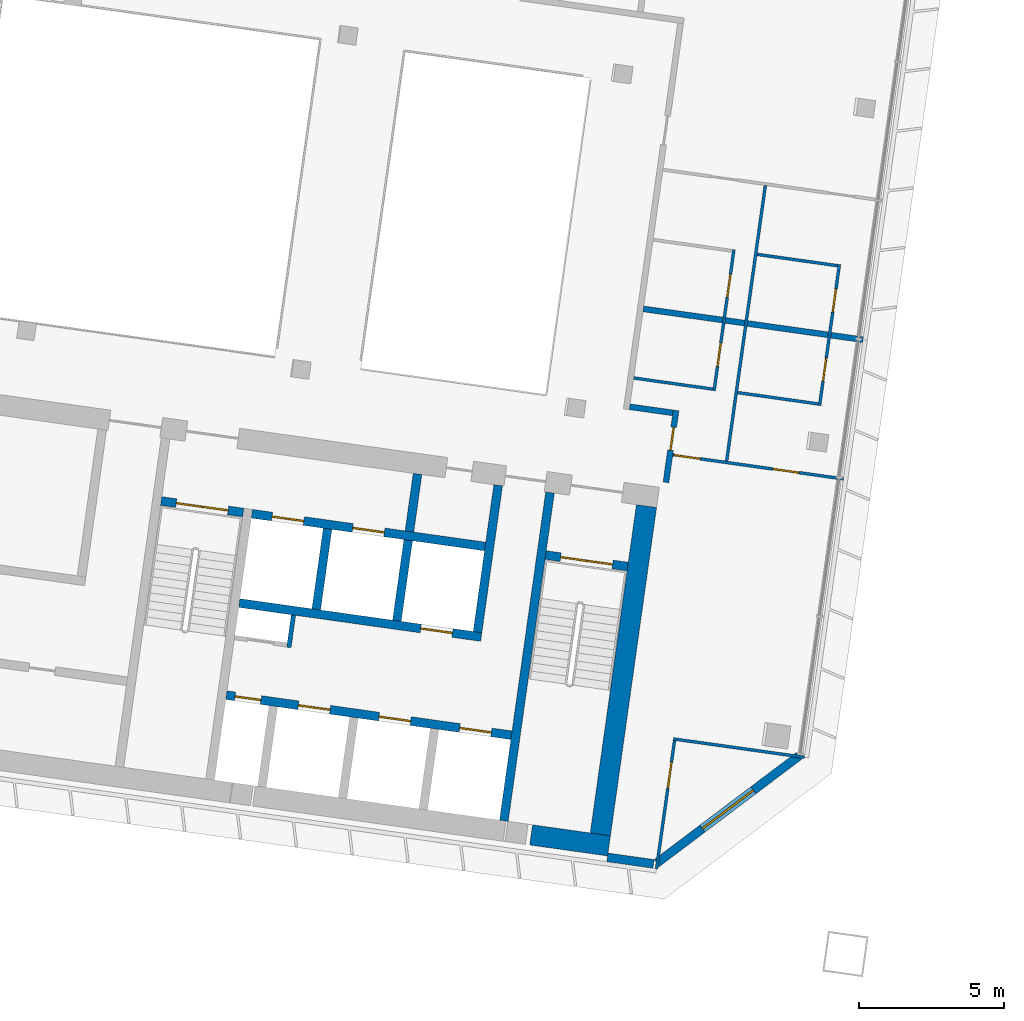
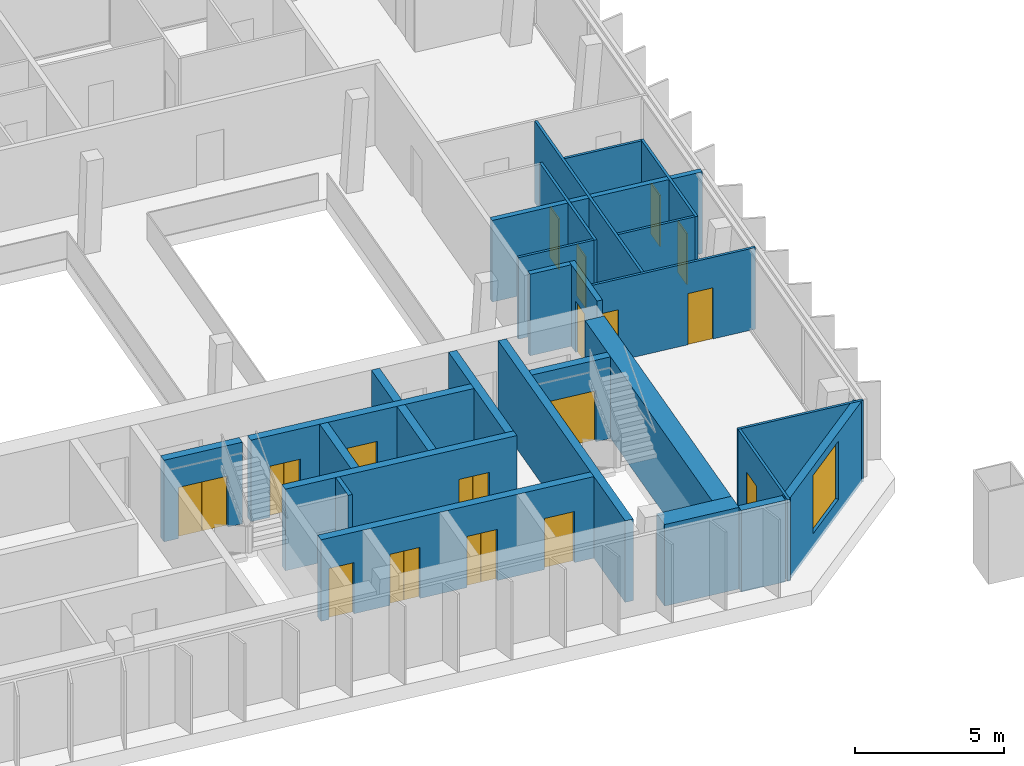
# One storey, part 14 of 23: 27 walls, 17 doors, 1 window, 18 openings.
"""IFC4 building model written with IfcOpenShell, lengths in metres."""

from ifc_helpers import new_model, si_unit, direction, frame, frame_2d, origin, place, context, subcontext, project, spatial, rectangle, extrude, material, layer, layer_set, type_object, element, fill, save


model = new_model("IFC4")

# Units and contexts
model_context = context("Model", 3, precision=1e-05, world=origin(), true_north=direction((0.0, 1.0)))
body_context = subcontext(model_context, "Body", "Model", "MODEL_VIEW")
ifc_project = project(units=[si_unit("LENGTHUNIT", "METRE"), si_unit("AREAUNIT", "SQUARE_METRE"), si_unit("VOLUMEUNIT", "CUBIC_METRE"), si_unit("PLANEANGLEUNIT", "RADIAN"), si_unit("MASSUNIT", "GRAM", prefix="KILO")], contexts=[model_context])

# Site, building, storey
site_placement = place(None, origin())
site = spatial("IfcSite", under=ifc_project, at=site_placement, CompositionType="ELEMENT")
building_placement = place(site_placement, origin())
building = spatial("IfcBuilding", under=site, at=building_placement, Name="Mirante Cascada Hotel Towers", CompositionType="ELEMENT")
storey_placement = place(building_placement, frame((0.0, 0.0, 187.8)))
storey = spatial("IfcBuildingStorey", under=building, at=storey_placement, Name="L44", CompositionType="ELEMENT", Elevation=187.8)

# Walls
ifc_material_1 = material(Name="Fire-rated plasterboard on metal studs")
ifc_layer_1 = layer(ifc_material_1, 0.2)
ifc_layer_set_1 = layer_set([ifc_layer_1], Name="Compartment wall 200 EI 120")
wall_type_1 = type_object("IfcWallType", Name="Compartment wall 200 EI 120", PredefinedType="PARTITIONING", material=ifc_layer_set_1)
wall_1_placement = place(storey_placement, frame((-35.0284, -4.7267, 0.0), z_axis=(0.0, 0.0, 1.0), x_axis=(-0.9902735, 0.1391343, 0.0)))
element("IfcWall", 1, at=wall_1_placement, inside=storey, type_object=wall_type_1, Name="Wall 1-L44-03", PredefinedType="PARTITIONING", context=body_context, shape_type="SweptSolid", body=[
    extrude(rectangle(XDim=1.5, YDim=0.2, at=frame_2d((0.75, 0.0))), origin(), (0.0, 0.0, 1.0), 3.35),
])
wall_2_placement = place(storey_placement, frame((-28.4875, -2.2126, 0.0), z_axis=(0.0, 0.0, 1.0), x_axis=(-0.9902666, 0.1391835, 0.0)))
element("IfcWall", 2, at=wall_2_placement, inside=storey, type_object=wall_type_1, Name="Wall 1-L44-07", PredefinedType="PARTITIONING", context=body_context, shape_type="SweptSolid", body=[
    extrude(rectangle(XDim=7.6273, YDim=0.2, at=frame_2d((3.8136, 0.0))), origin(), (0.0, 0.0, 1.0), 3.35),
])

# Wall, opening, door
wall_3_placement = place(storey_placement, frame((-35.2634, -7.1173, 0.0), z_axis=(0.0, 0.0, 1.0), x_axis=(0.1391586, 0.9902701, 0.0)))
wall_3 = element("IfcWall", 3, at=wall_3_placement, inside=storey, type_object=wall_type_1, Name="Wall 1-L44-33", PredefinedType="PARTITIONING", context=body_context, shape_type="SweptSolid", body=[
    extrude(rectangle(XDim=2.5, YDim=0.2, at=frame_2d((1.25, 0.0))), origin(), (0.0, 0.0, 1.0), 3.35),
])
opening_1_placement = place(wall_3_placement, frame((1.1167, 0.0, 0.0)))
opening_1 = element("IfcOpeningElement", 4, at=opening_1_placement, cuts=wall_3, Name="Opening D1-L44-26", PredefinedType="OPENING", context=body_context, shape_type="SweptSolid", body=[
    extrude(rectangle(XDim=0.8, YDim=2.1, at=frame_2d((0.4, 1.05))), frame((0.0, 0.1, 0.0), z_axis=(0.0, -1.0, 0.0), x_axis=(1.0, 0.0, 0.0)), (0.0, 0.0, 1.0), 0.2),
])
ifc_material_2 = material(Name="Fire-rated timber door leaf", Category="wood")
door_type_1 = type_object("IfcDoorType", Name="Bathroom door DG4 800x2100 EI 60", OperationType="SINGLE_SWING_LEFT", PredefinedType="DOOR", material=ifc_material_2)
door_1_placement = place(opening_1_placement, origin())
door_1 = element("IfcDoor", 5, at=door_1_placement, inside=storey, type_object=door_type_1, Name="Door D1-L44-26", OperationType="SINGLE_SWING_LEFT", OverallHeight=2.1, OverallWidth=0.8, PredefinedType="DOOR", context=body_context, shape_type="SweptSolid", body=[
    extrude(rectangle(XDim=0.8, YDim=2.1, at=frame_2d((0.4, 1.05))), frame((0.0, 0.025, 0.0), z_axis=(0.0, -1.0, 0.0), x_axis=(1.0, 0.0, 0.0)), (0.0, 0.0, 1.0), 0.05),
])
fill(opening_1, door_1)

# Walls
ifc_material_3 = material(Name="Masonry block", Category="masonry")
ifc_layer_2 = layer(ifc_material_3, 0.15)
ifc_layer_set_2 = layer_set([ifc_layer_2], Name="Core room partition 150 block EI 30")
wall_type_2 = type_object("IfcWallType", Name="Core room partition 150 block EI 30", PredefinedType="PARTITIONING", material=ifc_layer_set_2)
wall_4_placement = place(storey_placement, frame((-48.2295, -12.793, 0.0), z_axis=(0.0, 0.0, 1.0), x_axis=(0.1391935, 0.9902652, 0.0)))
element("IfcWall", 6, at=wall_4_placement, inside=storey, type_object=wall_type_2, Name="Core wall partition T1 L44 2", PredefinedType="PARTITIONING", context=body_context, shape_type="SweptSolid", body=[
    extrude(rectangle(XDim=1.1251, YDim=0.15, at=frame_2d((0.5626, 0.0))), origin(), (0.0, 0.0, 1.0), 3.35),
])
ifc_material_4 = material(Name="Masonry block", Category="masonry")
ifc_layer_3 = layer(ifc_material_4, 0.3)
ifc_layer_set_3 = layer_set([ifc_layer_3], Name="Core wall 300 block EI 120")
wall_type_3 = type_object("IfcWallType", Name="Core wall 300 block EI 120", PredefinedType="PARTITIONING", material=ifc_layer_set_3)
wall_5_placement = place(storey_placement, frame((-44.0843, -8.8061, 0.0), z_axis=(0.0, 0.0, 1.0), x_axis=(0.1391951, 0.990265, 0.0)))
element("IfcWall", 7, at=wall_5_placement, inside=storey, type_object=wall_type_3, Name="Core wall partition T1 L44 1", PredefinedType="PARTITIONING", context=body_context, shape_type="SweptSolid", body=[
    extrude(rectangle(XDim=2.0001, YDim=0.3, at=frame_2d((1.0001, 0.0))), origin(), (0.0, 0.0, 1.0), 3.35),
])
ifc_material_5 = material(Name="Plasterboard on metal studs")
ifc_layer_4 = layer(ifc_material_5, 0.1)
ifc_layer_set_4 = layer_set([ifc_layer_4], Name="Partition 100")
wall_type_4 = type_object("IfcWallType", Name="Partition 100", PredefinedType="PARTITIONING", material=ifc_layer_set_4)
wall_6_placement = place(storey_placement, frame((-30.5055, -16.5715, 0.0), z_axis=(0.0, 0.0, 1.0), x_axis=(-0.9902661, 0.1391871, 0.0)))
element("IfcWall", 8, at=wall_6_placement, inside=storey, type_object=wall_type_4, Name="Wall 1-L44-01", PredefinedType="PARTITIONING", context=body_context, shape_type="SweptSolid", body=[
    extrude(rectangle(XDim=4.55, YDim=0.1, at=frame_2d((2.275, 0.0))), origin(), (0.0, 0.0, 1.0), 3.35),
])

# Wall, openings, doors
wall_7_placement = place(storey_placement, frame((-35.0298, -6.1739, 0.0), z_axis=(0.0, 0.0, 1.0), x_axis=(0.9902688, -0.1391677, 0.0)))
wall_7 = element("IfcWall", 9, at=wall_7_placement, inside=storey, type_object=wall_type_4, Name="Wall 1-L44-02", PredefinedType="PARTITIONING", context=body_context, shape_type="SweptSolid", body=[
    extrude(rectangle(XDim=5.9274, YDim=0.1, at=frame_2d((2.9637, 0.0))), origin(), (0.0, 0.0, 1.0), 3.35),
])
opening_2_placement = place(wall_7_placement, frame((3.4774, 0.0, 0.0)))
opening_2 = element("IfcOpeningElement", 10, at=opening_2_placement, cuts=wall_7, Name="Opening D1-L44-01", PredefinedType="OPENING", context=body_context, shape_type="SweptSolid", body=[
    extrude(rectangle(XDim=0.9, YDim=2.1, at=frame_2d((0.45, 1.05))), frame((0.0, 0.05, 0.0), z_axis=(0.0, -1.0, 0.0), x_axis=(1.0, 0.0, 0.0)), (0.0, 0.0, 1.0), 0.1),
])
opening_3_placement = place(wall_7_placement, frame((0.05, 0.0, 0.0)))
opening_3 = element("IfcOpeningElement", 11, at=opening_3_placement, cuts=wall_7, Name="Opening D1-L44-02", PredefinedType="OPENING", context=body_context, shape_type="SweptSolid", body=[
    extrude(rectangle(XDim=0.9, YDim=2.1, at=frame_2d((0.45, 1.05))), frame((0.0, 0.05, 0.0), z_axis=(0.0, -1.0, 0.0), x_axis=(1.0, 0.0, 0.0)), (0.0, 0.0, 1.0), 0.1),
])
ifc_material_6 = material(Name="Timber door leaf", Category="wood")
door_type_2 = type_object("IfcDoorType", Name="Room door DG3 900x2100", OperationType="SINGLE_SWING_LEFT", PredefinedType="DOOR", material=ifc_material_6)
door_2_placement = place(opening_2_placement, frame((0.9, 0.0, 0.0), z_axis=(0.0, 0.0, 1.0), x_axis=(-1.0, 0.0, 0.0)))
door_2 = element("IfcDoor", 12, at=door_2_placement, inside=storey, type_object=door_type_2, Name="Door D1-L44-01", OperationType="SINGLE_SWING_RIGHT", OverallHeight=2.1, OverallWidth=0.9, PredefinedType="DOOR", context=body_context, shape_type="SweptSolid", body=[
    extrude(rectangle(XDim=0.9, YDim=2.1, at=frame_2d((0.45, 1.05))), frame((0.0, 0.025, 0.0), z_axis=(0.0, -1.0, 0.0), x_axis=(1.0, 0.0, 0.0)), (0.0, 0.0, 1.0), 0.05),
])
fill(opening_2, door_2)
door_3_placement = place(opening_3_placement, frame((0.9, 0.0, 0.0), z_axis=(0.0, 0.0, 1.0), x_axis=(-1.0, 0.0, 0.0)))
door_3 = element("IfcDoor", 13, at=door_3_placement, inside=storey, type_object=door_type_2, Name="Door D1-L44-02", OperationType="SINGLE_SWING_RIGHT", OverallHeight=2.1, OverallWidth=0.9, PredefinedType="DOOR", context=body_context, shape_type="SweptSolid", body=[
    extrude(rectangle(XDim=0.9, YDim=2.1, at=frame_2d((0.45, 1.05))), frame((0.0, 0.025, 0.0), z_axis=(0.0, -1.0, 0.0), x_axis=(1.0, 0.0, 0.0)), (0.0, 0.0, 1.0), 0.05),
])
fill(opening_3, door_3)

# Walls
wall_8_placement = place(storey_placement, frame((-30.0234, -4.4203, 0.0), z_axis=(0.0, 0.0, 1.0), x_axis=(-0.990267, 0.139181, 0.0)))
element("IfcWall", 14, at=wall_8_placement, inside=storey, type_object=wall_type_4, Name="Wall 1-L44-05", PredefinedType="PARTITIONING", context=body_context, shape_type="SweptSolid", body=[
    extrude(rectangle(XDim=2.8, YDim=0.1, at=frame_2d((1.4, 0.0))), origin(), (0.0, 0.0, 1.0), 3.35),
])
wall_9_placement = place(storey_placement, frame((-36.3747, -3.5277, 0.0), z_axis=(0.0, 0.0, 1.0), x_axis=(0.9902698, -0.1391607, 0.0)))
element("IfcWall", 15, at=wall_9_placement, inside=storey, type_object=wall_type_4, Name="Wall 1-L44-06", PredefinedType="PARTITIONING", context=body_context, shape_type="SweptSolid", body=[
    extrude(rectangle(XDim=2.7501, YDim=0.1, at=frame_2d((1.3751, 0.0))), origin(), (0.0, 0.0, 1.0), 3.35),
])
wall_10_placement = place(storey_placement, frame((-29.3553, 0.333, 0.0), z_axis=(0.0, 0.0, 1.0), x_axis=(-0.9902677, 0.139176, 0.0)))
element("IfcWall", 16, at=wall_10_placement, inside=storey, type_object=wall_type_4, Name="Wall 1-L44-09", PredefinedType="PARTITIONING", context=body_context, shape_type="SweptSolid", body=[
    extrude(rectangle(XDim=2.8001, YDim=0.1, at=frame_2d((1.4, 0.0))), origin(), (0.0, 0.0, 1.0), 3.35),
])

# Wall, openings, doors
wall_11_placement = place(storey_placement, frame((-29.2989, 0.3755, 0.0), z_axis=(0.0, 0.0, 1.0), x_axis=(-0.1391638, -0.9902694, 0.0)))
wall_11 = element("IfcWall", 17, at=wall_11_placement, inside=storey, type_object=wall_type_4, Name="Wall 1-L44-28", PredefinedType="PARTITIONING", context=body_context, shape_type="SweptSolid", body=[
    extrude(rectangle(XDim=4.9, YDim=0.1, at=frame_2d((2.45, 0.0))), origin(), (0.0, 0.0, 1.0), 3.35),
])
opening_4_placement = place(wall_11_placement, frame((3.25, 0.0, 0.0)))
opening_4 = element("IfcOpeningElement", 18, at=opening_4_placement, cuts=wall_11, Name="Opening D1-L44-20", PredefinedType="OPENING", context=body_context, shape_type="SweptSolid", body=[
    extrude(rectangle(XDim=0.8, YDim=2.1, at=frame_2d((0.4, 1.05))), frame((0.0, 0.05, 0.0), z_axis=(0.0, -1.0, 0.0), x_axis=(1.0, 0.0, 0.0)), (0.0, 0.0, 1.0), 0.1),
])
opening_5_placement = place(wall_11_placement, frame((0.85, 0.0, 0.0)))
opening_5 = element("IfcOpeningElement", 19, at=opening_5_placement, cuts=wall_11, Name="Opening D1-L44-21", PredefinedType="OPENING", context=body_context, shape_type="SweptSolid", body=[
    extrude(rectangle(XDim=0.8, YDim=2.1, at=frame_2d((0.4, 1.05))), frame((0.0, 0.05, 0.0), z_axis=(0.0, -1.0, 0.0), x_axis=(1.0, 0.0, 0.0)), (0.0, 0.0, 1.0), 0.1),
])
ifc_material_7 = material(Name="Timber door leaf", Category="wood")
door_type_3 = type_object("IfcDoorType", Name="Bathroom door DG4 800x2100", OperationType="SINGLE_SWING_LEFT", PredefinedType="DOOR", material=ifc_material_7)
door_4_placement = place(opening_4_placement, frame((0.8, 0.0, 0.0), z_axis=(0.0, 0.0, 1.0), x_axis=(-1.0, 0.0, 0.0)))
door_4 = element("IfcDoor", 20, at=door_4_placement, inside=storey, type_object=door_type_3, Name="Door D1-L44-20", OperationType="SINGLE_SWING_RIGHT", OverallHeight=2.1, OverallWidth=0.8, PredefinedType="DOOR", context=body_context, shape_type="SweptSolid", body=[
    extrude(rectangle(XDim=0.8, YDim=2.1, at=frame_2d((0.4, 1.05))), frame((0.0, 0.025, 0.0), z_axis=(0.0, -1.0, 0.0), x_axis=(1.0, 0.0, 0.0)), (0.0, 0.0, 1.0), 0.05),
])
fill(opening_4, door_4)
door_5_placement = place(opening_5_placement, frame((0.8, 0.0, 0.0), z_axis=(0.0, 0.0, 1.0), x_axis=(-1.0, 0.0, 0.0)))
door_5 = element("IfcDoor", 21, at=door_5_placement, inside=storey, type_object=door_type_3, Name="Door D1-L44-21", OperationType="SINGLE_SWING_RIGHT", OverallHeight=2.1, OverallWidth=0.8, PredefinedType="DOOR", context=body_context, shape_type="SweptSolid", body=[
    extrude(rectangle(XDim=0.8, YDim=2.1, at=frame_2d((0.4, 1.05))), frame((0.0, 0.025, 0.0), z_axis=(0.0, -1.0, 0.0), x_axis=(1.0, 0.0, 0.0)), (0.0, 0.0, 1.0), 0.05),
])
fill(opening_5, door_5)

# Wall
wall_12_placement = place(storey_placement, frame((-33.1773, -6.3838, 0.0), z_axis=(0.0, 0.0, 1.0), x_axis=(0.1391717, 0.9902683, 0.0)))
element("IfcWall", 22, at=wall_12_placement, inside=storey, type_object=wall_type_4, Name="Wall 1-L44-29", PredefinedType="PARTITIONING", context=body_context, shape_type="SweptSolid", body=[
    extrude(rectangle(XDim=9.5666, YDim=0.1, at=frame_2d((4.7833, 0.0))), origin(), (0.0, 0.0, 1.0), 3.35),
])

# Wall, opening, door
wall_13_placement = place(storey_placement, frame((-34.9686, -15.9947, 0.0), z_axis=(0.0, 0.0, 1.0), x_axis=(-0.1391904, -0.9902656, 0.0)))
wall_13 = element("IfcWall", 23, at=wall_13_placement, inside=storey, type_object=wall_type_4, Name="Wall 1-L44-30", PredefinedType="PARTITIONING", context=body_context, shape_type="SweptSolid", body=[
    extrude(rectangle(XDim=4.45, YDim=0.1, at=frame_2d((2.225, 0.0))), origin(), (0.0, 0.0, 1.0), 3.35),
])
opening_6_placement = place(wall_13_placement, frame((0.75, 0.0, 0.0)))
opening_6 = element("IfcOpeningElement", 24, at=opening_6_placement, cuts=wall_13, Name="Opening D1-L44-22", PredefinedType="OPENING", context=body_context, shape_type="SweptSolid", body=[
    extrude(rectangle(XDim=0.9, YDim=2.1, at=frame_2d((0.45, 1.05))), frame((0.0, 0.05, 0.0), z_axis=(0.0, -1.0, 0.0), x_axis=(1.0, 0.0, 0.0)), (0.0, 0.0, 1.0), 0.1),
])
door_6_placement = place(opening_6_placement, origin())
door_6 = element("IfcDoor", 25, at=door_6_placement, inside=storey, type_object=door_type_2, Name="Door D1-L44-22", OperationType="SINGLE_SWING_LEFT", OverallHeight=2.1, OverallWidth=0.9, PredefinedType="DOOR", context=body_context, shape_type="SweptSolid", body=[
    extrude(rectangle(XDim=0.9, YDim=2.1, at=frame_2d((0.45, 1.05))), frame((0.0, 0.025, 0.0), z_axis=(0.0, -1.0, 0.0), x_axis=(1.0, 0.0, 0.0)), (0.0, 0.0, 1.0), 0.05),
])
fill(opening_6, door_6)

# Wall, openings, doors
wall_14_placement = place(storey_placement, frame((-32.9269, 0.8854, 0.0), z_axis=(0.0, 0.0, 1.0), x_axis=(-0.1391838, -0.9902666, 0.0)))
wall_14 = element("IfcWall", 26, at=wall_14_placement, inside=storey, type_object=wall_type_4, Name="Wall 1-L44-32", PredefinedType="PARTITIONING", context=body_context, shape_type="SweptSolid", body=[
    extrude(rectangle(XDim=4.9, YDim=0.1, at=frame_2d((2.45, 0.0))), origin(), (0.0, 0.0, 1.0), 3.35),
])
opening_7_placement = place(wall_14_placement, frame((3.25, 0.0, 0.0)))
opening_7 = element("IfcOpeningElement", 27, at=opening_7_placement, cuts=wall_14, Name="Opening D1-L44-24", PredefinedType="OPENING", context=body_context, shape_type="SweptSolid", body=[
    extrude(rectangle(XDim=0.8, YDim=2.1, at=frame_2d((0.4, 1.05))), frame((0.0, 0.05, 0.0), z_axis=(0.0, -1.0, 0.0), x_axis=(1.0, 0.0, 0.0)), (0.0, 0.0, 1.0), 0.1),
])
opening_8_placement = place(wall_14_placement, frame((0.85, 0.0, 0.0)))
opening_8 = element("IfcOpeningElement", 28, at=opening_8_placement, cuts=wall_14, Name="Opening D1-L44-25", PredefinedType="OPENING", context=body_context, shape_type="SweptSolid", body=[
    extrude(rectangle(XDim=0.8, YDim=2.1, at=frame_2d((0.4, 1.05))), frame((0.0, 0.05, 0.0), z_axis=(0.0, -1.0, 0.0), x_axis=(1.0, 0.0, 0.0)), (0.0, 0.0, 1.0), 0.1),
])
door_7_placement = place(opening_7_placement, frame((0.8, 0.0, 0.0), z_axis=(0.0, 0.0, 1.0), x_axis=(-1.0, 0.0, 0.0)))
door_7 = element("IfcDoor", 29, at=door_7_placement, inside=storey, type_object=door_type_3, Name="Door D1-L44-24", OperationType="SINGLE_SWING_RIGHT", OverallHeight=2.1, OverallWidth=0.8, PredefinedType="DOOR", context=body_context, shape_type="SweptSolid", body=[
    extrude(rectangle(XDim=0.8, YDim=2.1, at=frame_2d((0.4, 1.05))), frame((0.0, 0.025, 0.0), z_axis=(0.0, -1.0, 0.0), x_axis=(1.0, 0.0, 0.0)), (0.0, 0.0, 1.0), 0.05),
])
fill(opening_7, door_7)
door_8_placement = place(opening_8_placement, frame((0.8, 0.0, 0.0), z_axis=(0.0, 0.0, 1.0), x_axis=(-1.0, 0.0, 0.0)))
door_8 = element("IfcDoor", 30, at=door_8_placement, inside=storey, type_object=door_type_3, Name="Door D1-L44-25", OperationType="SINGLE_SWING_RIGHT", OverallHeight=2.1, OverallWidth=0.8, PredefinedType="DOOR", context=body_context, shape_type="SweptSolid", body=[
    extrude(rectangle(XDim=0.8, YDim=2.1, at=frame_2d((0.4, 1.05))), frame((0.0, 0.025, 0.0), z_axis=(0.0, -1.0, 0.0), x_axis=(1.0, 0.0, 0.0)), (0.0, 0.0, 1.0), 0.05),
])
fill(opening_8, door_8)

# Wall
ifc_material_8 = material(Name="Precast concrete C40/50", Category="concrete")
ifc_layer_5 = layer(ifc_material_8, 0.3)
ifc_layer_set_5 = layer_set([ifc_layer_5], Name="Precast concrete C40/50 cladding wall 300")
wall_type_5 = type_object("IfcWallType", Name="Precast concrete C40/50 cladding wall 300", PredefinedType="STANDARD", material=ifc_layer_set_5)
wall_15_placement = place(storey_placement, frame((-35.6901, -20.2356, 0.0), z_axis=(0.0, 0.0, 1.0), x_axis=(-0.9902614, 0.1392204, 0.0)))
element("IfcWall", 31, at=wall_15_placement, inside=storey, type_object=wall_type_5, Name="Rear cladding wall T1 L44 1", PredefinedType="STANDARD", context=body_context, shape_type="SweptSolid", body=[
    extrude(rectangle(XDim=1.6032, YDim=0.3, at=frame_2d((0.8016, 0.0))), origin(), (0.0, 0.0, 1.0), 3.35),
])

# Wall, opening, window
wall_16_placement = place(storey_placement, frame((-30.6949, -16.5264, 0.0), z_axis=(0.0, 0.0, 1.0), x_axis=(-0.7986362, -0.6018141, 0.0)))
wall_16 = element("IfcWall", 32, at=wall_16_placement, inside=storey, type_object=wall_type_5, Name="Corner cladding wall T1 L44 inner rear", PredefinedType="STANDARD", context=body_context, shape_type="SweptSolid", body=[
    extrude(rectangle(XDim=6.1157, YDim=0.3, at=frame_2d((3.0578, 0.0))), origin(), (0.0, 0.0, 1.0), 3.35),
])
opening_9_placement = place(wall_16_placement, frame((1.9578, 0.0, 0.6)))
opening_9 = element("IfcOpeningElement", 33, at=opening_9_placement, cuts=wall_16, Name="Opening W1-44-04", PredefinedType="OPENING", context=body_context, shape_type="SweptSolid", body=[
    extrude(rectangle(XDim=2.2, YDim=2.4, at=frame_2d((1.1, 1.2))), frame((0.0, 0.15, 0.0), z_axis=(0.0, -1.0, 0.0), x_axis=(1.0, 0.0, 0.0)), (0.0, 0.0, 1.0), 0.3),
])
ifc_material_9 = material(Name="Aluminium frame with clear double glazing", Category="aluminium")
window_type = type_object("IfcWindowType", Name="Corner suite window 2200x2400", PartitioningType="DOUBLE_PANEL_VERTICAL", PredefinedType="WINDOW", material=ifc_material_9)
window_placement = place(opening_9_placement, origin())
window = element("IfcWindow", 34, at=window_placement, inside=storey, type_object=window_type, Name="Window W1-44-04", OverallHeight=2.4, OverallWidth=2.2, PartitioningType="SINGLE_PANEL", PredefinedType="WINDOW", context=body_context, shape_type="SweptSolid", body=[
    extrude(rectangle(XDim=2.2, YDim=2.4, at=frame_2d((1.1, 1.2))), frame((0.0, 0.03, 0.0), z_axis=(0.0, -1.0, 0.0), x_axis=(1.0, 0.0, 0.0)), (0.0, 0.0, 1.0), 0.06),
])
fill(opening_9, window)

# Wall
ifc_material_10 = material(Name="Concrete C50/60", Category="concrete")
ifc_layer_6 = layer(ifc_material_10, 0.3)
ifc_layer_set_6 = layer_set([ifc_layer_6], Name="RC core wall 300 C50/60")
wall_type_6 = type_object("IfcWallType", Name="RC core wall 300 C50/60", PredefinedType="SHEAR", material=ifc_layer_set_6)
wall_17_placement = place(storey_placement, frame((-40.8373, -18.7548, 0.0), z_axis=(0.0, 0.0, 1.0), x_axis=(0.1391749, 0.9902678, 0.0)))
element("IfcWall", 35, at=wall_17_placement, inside=storey, type_object=wall_type_6, Name="Core wall T1:L44:5", PredefinedType="SHEAR", context=body_context, shape_type="SweptSolid", body=[
    extrude(rectangle(XDim=11.4, YDim=0.3, at=frame_2d((5.7, 0.0))), origin(), (0.0, 0.0, 1.0), 3.35),
])

# Wall, opening, door
wall_18_placement = place(storey_placement, frame((-36.5791, -10.0123, 0.0), z_axis=(0.0, 0.0, 1.0), x_axis=(-0.9902704, 0.1391564, 0.0)))
wall_18 = element("IfcWall", 36, at=wall_18_placement, inside=storey, type_object=wall_type_6, Name="Core wall T1:L44:8", PredefinedType="SHEAR", context=body_context, shape_type="SweptSolid", body=[
    extrude(rectangle(XDim=2.85, YDim=0.3, at=frame_2d((1.425, 0.0))), origin(), (0.0, 0.0, 1.0), 3.35),
])
opening_10_placement = place(wall_18_placement, frame((0.525, 0.0, 0.0)))
opening_10 = element("IfcOpeningElement", 37, at=opening_10_placement, cuts=wall_18, Name="Opening D1-44-C07", PredefinedType="OPENING", context=body_context, shape_type="SweptSolid", body=[
    extrude(rectangle(XDim=1.8, YDim=2.1, at=frame_2d((0.9, 1.05))), frame((0.0, 0.15, 0.0), z_axis=(0.0, -1.0, 0.0), x_axis=(1.0, 0.0, 0.0)), (0.0, 0.0, 1.0), 0.3),
])
ifc_material_11 = material(Name="Hollow metal fire door leaf")
door_type_4 = type_object("IfcDoorType", Name="Double fire door 1800x2100 FD60", OperationType="DOUBLE_DOOR_SINGLE_SWING", PredefinedType="DOOR", material=ifc_material_11)
door_9_placement = place(opening_10_placement, origin())
door_9 = element("IfcDoor", 38, at=door_9_placement, inside=storey, type_object=door_type_4, Name="Stair door T1 L44 7", OperationType="DOUBLE_DOOR_SINGLE_SWING", OverallHeight=2.1, OverallWidth=1.8, PredefinedType="DOOR", context=body_context, shape_type="SweptSolid", body=[
    extrude(rectangle(XDim=0.895, YDim=2.1, at=frame_2d((0.4475, 1.05))), frame((0.0, 0.025, 0.0), z_axis=(0.0, -1.0, 0.0), x_axis=(1.0, 0.0, 0.0)), (0.0, 0.0, 1.0), 0.05),
    extrude(rectangle(XDim=0.895, YDim=2.1, at=frame_2d((1.3525, 1.05))), frame((0.0, 0.025, 0.0), z_axis=(0.0, -1.0, 0.0), x_axis=(1.0, 0.0, 0.0)), (0.0, 0.0, 1.0), 0.05),
])
fill(opening_10, door_9)

wall_19_placement = place(storey_placement, frame((-49.7992, -8.1544, 0.0), z_axis=(0.0, 0.0, 1.0), x_axis=(-0.9902656, 0.1391909, 0.0)))
wall_19 = element("IfcWall", 39, at=wall_19_placement, inside=storey, type_object=wall_type_6, Name="Core wall T1:L44:9", PredefinedType="SHEAR", context=body_context, shape_type="SweptSolid", body=[
    extrude(rectangle(XDim=2.85, YDim=0.3, at=frame_2d((1.425, 0.0))), origin(), (0.0, 0.0, 1.0), 3.35),
])
opening_11_placement = place(wall_19_placement, frame((0.525, 0.0, 0.0)))
opening_11 = element("IfcOpeningElement", 40, at=opening_11_placement, cuts=wall_19, Name="Opening D1-44-C09", PredefinedType="OPENING", context=body_context, shape_type="SweptSolid", body=[
    extrude(rectangle(XDim=1.8, YDim=2.1, at=frame_2d((0.9, 1.05))), frame((0.0, 0.15, 0.0), z_axis=(0.0, -1.0, 0.0), x_axis=(1.0, 0.0, 0.0)), (0.0, 0.0, 1.0), 0.3),
])
door_10_placement = place(opening_11_placement, origin())
door_10 = element("IfcDoor", 41, at=door_10_placement, inside=storey, type_object=door_type_4, Name="Stair door T1 L44 9", OperationType="DOUBLE_DOOR_SINGLE_SWING", OverallHeight=2.1, OverallWidth=1.8, PredefinedType="DOOR", context=body_context, shape_type="SweptSolid", body=[
    extrude(rectangle(XDim=0.895, YDim=2.1, at=frame_2d((0.4475, 1.05))), frame((0.0, 0.025, 0.0), z_axis=(0.0, -1.0, 0.0), x_axis=(1.0, 0.0, 0.0)), (0.0, 0.0, 1.0), 0.05),
    extrude(rectangle(XDim=0.895, YDim=2.1, at=frame_2d((1.3525, 1.05))), frame((0.0, 0.025, 0.0), z_axis=(0.0, -1.0, 0.0), x_axis=(1.0, 0.0, 0.0)), (0.0, 0.0, 1.0), 0.05),
])
fill(opening_11, door_10)

# Wall, openings, doors
wall_20_placement = place(storey_placement, frame((-40.5753, -15.8126, 0.0), z_axis=(0.0, 0.0, 1.0), x_axis=(-0.9902682, 0.1391725, 0.0)))
wall_20 = element("IfcWall", 42, at=wall_20_placement, inside=storey, type_object=wall_type_6, Name="Core wall T1:L44:10", PredefinedType="SHEAR", context=body_context, shape_type="SweptSolid", body=[
    extrude(rectangle(XDim=9.8999, YDim=0.3, at=frame_2d((4.95, 0.0))), origin(), (0.0, 0.0, 1.0), 3.35),
])
opening_12_placement = place(wall_20_placement, frame((0.7, 0.0, 0.0)))
opening_12 = element("IfcOpeningElement", 43, at=opening_12_placement, cuts=wall_20, Name="Opening LD", PredefinedType="OPENING", context=body_context, shape_type="SweptSolid", body=[
    extrude(rectangle(XDim=1.1, YDim=2.1, at=frame_2d((0.55, 1.05))), frame((0.0, 0.15, 0.0), z_axis=(0.0, -1.0, 0.0), x_axis=(1.0, 0.0, 0.0)), (0.0, 0.0, 1.0), 0.3),
])
opening_13_placement = place(wall_20_placement, frame((3.5, 0.0, 0.0)))
opening_13 = element("IfcOpeningElement", 44, at=opening_13_placement, cuts=wall_20, Name="Opening LD", PredefinedType="OPENING", context=body_context, shape_type="SweptSolid", body=[
    extrude(rectangle(XDim=1.1, YDim=2.1, at=frame_2d((0.55, 1.05))), frame((0.0, 0.15, 0.0), z_axis=(0.0, -1.0, 0.0), x_axis=(1.0, 0.0, 0.0)), (0.0, 0.0, 1.0), 0.3),
])
opening_14_placement = place(wall_20_placement, frame((6.3, 0.0, 0.0)))
opening_14 = element("IfcOpeningElement", 45, at=opening_14_placement, cuts=wall_20, Name="Opening LD", PredefinedType="OPENING", context=body_context, shape_type="SweptSolid", body=[
    extrude(rectangle(XDim=1.1, YDim=2.1, at=frame_2d((0.55, 1.05))), frame((0.0, 0.15, 0.0), z_axis=(0.0, -1.0, 0.0), x_axis=(1.0, 0.0, 0.0)), (0.0, 0.0, 1.0), 0.3),
])
opening_15_placement = place(wall_20_placement, frame((8.7, 0.0, 0.0)))
opening_15 = element("IfcOpeningElement", 46, at=opening_15_placement, cuts=wall_20, Name="Opening D1-44-C14", PredefinedType="OPENING", context=body_context, shape_type="SweptSolid", body=[
    extrude(rectangle(XDim=0.9, YDim=2.1, at=frame_2d((0.45, 1.05))), frame((0.0, 0.15, 0.0), z_axis=(0.0, -1.0, 0.0), x_axis=(1.0, 0.0, 0.0)), (0.0, 0.0, 1.0), 0.3),
])
ifc_material_12 = material(Name="Hollow metal fire door leaf")
door_type_5 = type_object("IfcDoorType", Name="Fire door 900x2100 FD60", OperationType="NOTDEFINED", PredefinedType="DOOR", material=ifc_material_12)
door_11_placement = place(opening_15_placement, origin())
door_11 = element("IfcDoor", 47, at=door_11_placement, inside=storey, type_object=door_type_5, Name="Riser door T1 L44 14", OperationType="SINGLE_SWING_LEFT", OverallHeight=2.1, OverallWidth=0.9, PredefinedType="DOOR", context=body_context, shape_type="SweptSolid", body=[
    extrude(rectangle(XDim=0.9, YDim=2.1, at=frame_2d((0.45, 1.05))), frame((0.0, 0.025, 0.0), z_axis=(0.0, -1.0, 0.0), x_axis=(1.0, 0.0, 0.0)), (0.0, 0.0, 1.0), 0.05),
])
fill(opening_15, door_11)
ifc_material_13 = material(Name="Stainless steel", Category="steel")
door_type_6 = type_object("IfcDoorType", Name="Lift landing door 1100x2100 EI 120", OperationType="DOUBLE_DOOR_SLIDING", PredefinedType="DOOR", material=ifc_material_13)
door_12_placement = place(opening_12_placement, origin())
door_12 = element("IfcDoor", 48, at=door_12_placement, inside=storey, type_object=door_type_6, Name="Lift landing door HR1-1 L44", OperationType="DOUBLE_DOOR_SLIDING", OverallHeight=2.1, OverallWidth=1.1, PredefinedType="DOOR", context=body_context, shape_type="SweptSolid", body=[
    extrude(rectangle(XDim=0.545, YDim=2.1, at=frame_2d((0.2725, 1.05))), frame((0.0, 0.025, 0.0), z_axis=(0.0, -1.0, 0.0), x_axis=(1.0, 0.0, 0.0)), (0.0, 0.0, 1.0), 0.05),
    extrude(rectangle(XDim=0.545, YDim=2.1, at=frame_2d((0.8275, 1.05))), frame((0.0, 0.025, 0.0), z_axis=(0.0, -1.0, 0.0), x_axis=(1.0, 0.0, 0.0)), (0.0, 0.0, 1.0), 0.05),
])
fill(opening_12, door_12)
door_13_placement = place(opening_13_placement, origin())
door_13 = element("IfcDoor", 49, at=door_13_placement, inside=storey, type_object=door_type_6, Name="Lift landing door HR1-2 L44", OperationType="DOUBLE_DOOR_SLIDING", OverallHeight=2.1, OverallWidth=1.1, PredefinedType="DOOR", context=body_context, shape_type="SweptSolid", body=[
    extrude(rectangle(XDim=0.545, YDim=2.1, at=frame_2d((0.2725, 1.05))), frame((0.0, 0.025, 0.0), z_axis=(0.0, -1.0, 0.0), x_axis=(1.0, 0.0, 0.0)), (0.0, 0.0, 1.0), 0.05),
    extrude(rectangle(XDim=0.545, YDim=2.1, at=frame_2d((0.8275, 1.05))), frame((0.0, 0.025, 0.0), z_axis=(0.0, -1.0, 0.0), x_axis=(1.0, 0.0, 0.0)), (0.0, 0.0, 1.0), 0.05),
])
fill(opening_13, door_13)
door_14_placement = place(opening_14_placement, origin())
door_14 = element("IfcDoor", 50, at=door_14_placement, inside=storey, type_object=door_type_6, Name="Lift landing door HR1-3 L44", OperationType="DOUBLE_DOOR_SLIDING", OverallHeight=2.1, OverallWidth=1.1, PredefinedType="DOOR", context=body_context, shape_type="SweptSolid", body=[
    extrude(rectangle(XDim=0.545, YDim=2.1, at=frame_2d((0.2725, 1.05))), frame((0.0, 0.025, 0.0), z_axis=(0.0, -1.0, 0.0), x_axis=(1.0, 0.0, 0.0)), (0.0, 0.0, 1.0), 0.05),
    extrude(rectangle(XDim=0.545, YDim=2.1, at=frame_2d((0.8275, 1.05))), frame((0.0, 0.025, 0.0), z_axis=(0.0, -1.0, 0.0), x_axis=(1.0, 0.0, 0.0)), (0.0, 0.0, 1.0), 0.05),
])
fill(opening_14, door_14)

# Wall, opening, door
wall_21_placement = place(storey_placement, frame((-41.6153, -12.435, 0.0), z_axis=(0.0, 0.0, 1.0), x_axis=(-0.9902691, 0.139166, 0.0)))
wall_21 = element("IfcWall", 51, at=wall_21_placement, inside=storey, type_object=wall_type_6, Name="Core wall T1:L44:11", PredefinedType="SHEAR", context=body_context, shape_type="SweptSolid", body=[
    extrude(rectangle(XDim=8.4, YDim=0.3, at=frame_2d((4.2, 0.0))), origin(), (0.0, 0.0, 1.0), 3.35),
])
opening_16_placement = place(wall_21_placement, frame((1.0, 0.0, 0.0)))
opening_16 = element("IfcOpeningElement", 52, at=opening_16_placement, cuts=wall_21, Name="Opening LD", PredefinedType="OPENING", context=body_context, shape_type="SweptSolid", body=[
    extrude(rectangle(XDim=1.1, YDim=2.1, at=frame_2d((0.55, 1.05))), frame((0.0, 0.15, 0.0), z_axis=(0.0, -1.0, 0.0), x_axis=(1.0, 0.0, 0.0)), (0.0, 0.0, 1.0), 0.3),
])
door_15_placement = place(opening_16_placement, origin())
door_15 = element("IfcDoor", 53, at=door_15_placement, inside=storey, type_object=door_type_6, Name="Lift landing door HR1-4 L44", OperationType="DOUBLE_DOOR_SLIDING", OverallHeight=2.1, OverallWidth=1.1, PredefinedType="DOOR", context=body_context, shape_type="SweptSolid", body=[
    extrude(rectangle(XDim=0.545, YDim=2.1, at=frame_2d((0.2725, 1.05))), frame((0.0, 0.025, 0.0), z_axis=(0.0, -1.0, 0.0), x_axis=(1.0, 0.0, 0.0)), (0.0, 0.0, 1.0), 0.05),
    extrude(rectangle(XDim=0.545, YDim=2.1, at=frame_2d((0.8275, 1.05))), frame((0.0, 0.025, 0.0), z_axis=(0.0, -1.0, 0.0), x_axis=(1.0, 0.0, 0.0)), (0.0, 0.0, 1.0), 0.05),
])
fill(opening_16, door_15)

# Wall, openings, doors
wall_22_placement = place(storey_placement, frame((-41.481, -9.3234, 0.0), z_axis=(0.0, 0.0, 1.0), x_axis=(-0.9902679, 0.1391741, 0.0)))
wall_22 = element("IfcWall", 54, at=wall_22_placement, inside=storey, type_object=wall_type_6, Name="Core wall T1:L44:12", PredefinedType="SHEAR", context=body_context, shape_type="SweptSolid", body=[
    extrude(rectangle(XDim=8.0999, YDim=0.3, at=frame_2d((4.05, 0.0))), origin(), (0.0, 0.0, 1.0), 3.35),
])
opening_17_placement = place(wall_22_placement, frame((3.5, 0.0, 0.0)))
opening_17 = element("IfcOpeningElement", 55, at=opening_17_placement, cuts=wall_22, Name="Opening LD", PredefinedType="OPENING", context=body_context, shape_type="SweptSolid", body=[
    extrude(rectangle(XDim=1.1, YDim=2.1, at=frame_2d((0.55, 1.05))), frame((0.0, 0.15, 0.0), z_axis=(0.0, -1.0, 0.0), x_axis=(1.0, 0.0, 0.0)), (0.0, 0.0, 1.0), 0.3),
])
opening_18_placement = place(wall_22_placement, frame((6.3, 0.0, 0.0)))
opening_18 = element("IfcOpeningElement", 56, at=opening_18_placement, cuts=wall_22, Name="Opening LD", PredefinedType="OPENING", context=body_context, shape_type="SweptSolid", body=[
    extrude(rectangle(XDim=1.1, YDim=2.1, at=frame_2d((0.55, 1.05))), frame((0.0, 0.15, 0.0), z_axis=(0.0, -1.0, 0.0), x_axis=(1.0, 0.0, 0.0)), (0.0, 0.0, 1.0), 0.3),
])
door_16_placement = place(opening_17_placement, origin())
door_16 = element("IfcDoor", 57, at=door_16_placement, inside=storey, type_object=door_type_6, Name="Lift landing door FF1 L44", OperationType="DOUBLE_DOOR_SLIDING", OverallHeight=2.1, OverallWidth=1.1, PredefinedType="DOOR", context=body_context, shape_type="SweptSolid", body=[
    extrude(rectangle(XDim=0.545, YDim=2.1, at=frame_2d((0.2725, 1.05))), frame((0.0, 0.025, 0.0), z_axis=(0.0, -1.0, 0.0), x_axis=(1.0, 0.0, 0.0)), (0.0, 0.0, 1.0), 0.05),
    extrude(rectangle(XDim=0.545, YDim=2.1, at=frame_2d((0.8275, 1.05))), frame((0.0, 0.025, 0.0), z_axis=(0.0, -1.0, 0.0), x_axis=(1.0, 0.0, 0.0)), (0.0, 0.0, 1.0), 0.05),
])
fill(opening_17, door_16)
door_17_placement = place(opening_18_placement, origin())
door_17 = element("IfcDoor", 58, at=door_17_placement, inside=storey, type_object=door_type_6, Name="Lift landing door FF2 L44", OperationType="DOUBLE_DOOR_SLIDING", OverallHeight=2.1, OverallWidth=1.1, PredefinedType="DOOR", context=body_context, shape_type="SweptSolid", body=[
    extrude(rectangle(XDim=0.545, YDim=2.1, at=frame_2d((0.2725, 1.05))), frame((0.0, 0.025, 0.0), z_axis=(0.0, -1.0, 0.0), x_axis=(1.0, 0.0, 0.0)), (0.0, 0.0, 1.0), 0.05),
    extrude(rectangle(XDim=0.545, YDim=2.1, at=frame_2d((0.8275, 1.05))), frame((0.0, 0.025, 0.0), z_axis=(0.0, -1.0, 0.0), x_axis=(1.0, 0.0, 0.0)), (0.0, 0.0, 1.0), 0.05),
])
fill(opening_18, door_17)

# Walls
for number, where, z_axis, x_axis, name in (
    (59, (-44.5157, -11.8759, 0.0), (0.0, 0.0, 1.0), (0.139181, 0.990267, 0.0), "Core wall T1:L44:16"),
    (60, (-47.2885, -11.4862, 0.0), (0.0, 0.0, 1.0), (0.139181, 0.990267, 0.0), "Core wall T1:L44:17"),
):
    element("IfcWall", number, at=place(storey_placement, frame(where, z_axis=z_axis, x_axis=x_axis)), inside=storey, type_object=wall_type_6, Name=name, PredefinedType="SHEAR", context=body_context, shape_type="SweptSolid", body=[
        extrude(rectangle(XDim=2.8, YDim=0.3, at=frame_2d((1.4, 0.0))), origin(), (0.0, 0.0, 1.0), 3.35),
    ])
wall_23_placement = place(storey_placement, frame((-41.743, -12.2656, 0.0), z_axis=(0.0, 0.0, 1.0), x_axis=(0.1391755, 0.9902677, 0.0)))
element("IfcWall", 61, at=wall_23_placement, inside=storey, type_object=wall_type_6, Name="Core wall T1:L44:18", PredefinedType="SHEAR", context=body_context, shape_type="SweptSolid", body=[
    extrude(rectangle(XDim=5.1, YDim=0.3, at=frame_2d((2.55, 0.0))), origin(), (0.0, 0.0, 1.0), 3.35),
])
ifc_material_14 = material(Name="Concrete C50/60", Category="concrete")
ifc_layer_7 = layer(ifc_material_14, 0.7)
ifc_layer_set_7 = layer_set([ifc_layer_7], Name="RC core wall 700 C50/60")
wall_type_7 = type_object("IfcWallType", Name="RC core wall 700 C50/60", PredefinedType="SHEAR", material=ifc_layer_set_7)
wall_24_placement = place(storey_placement, frame((-37.222, -19.6163, 0.0), z_axis=(0.0, 0.0, 1.0), x_axis=(-0.9902687, 0.1391687, 0.0)))
element("IfcWall", 62, at=wall_24_placement, inside=storey, type_object=wall_type_7, Name="Core wall T1:L44:1.1", PredefinedType="SHEAR", context=body_context, shape_type="SweptSolid", body=[
    extrude(rectangle(XDim=2.7039, YDim=0.7, at=frame_2d((1.352, 0.0))), origin(), (0.0, 0.0, 1.0), 3.35),
])
wall_25_placement = place(storey_placement, frame((-37.5199, -19.221, 0.0), z_axis=(0.0, 0.0, 1.0), x_axis=(0.1391761, 0.9902677, 0.0)))
element("IfcWall", 63, at=wall_25_placement, inside=storey, type_object=wall_type_7, Name="Core wall T1:L44:3", PredefinedType="SHEAR", context=body_context, shape_type="SweptSolid", body=[
    extrude(rectangle(XDim=11.3999, YDim=0.7, at=frame_2d((5.7, 0.0))), origin(), (0.0, 0.0, 1.0), 3.35),
])

save(model, "model.ifc")
